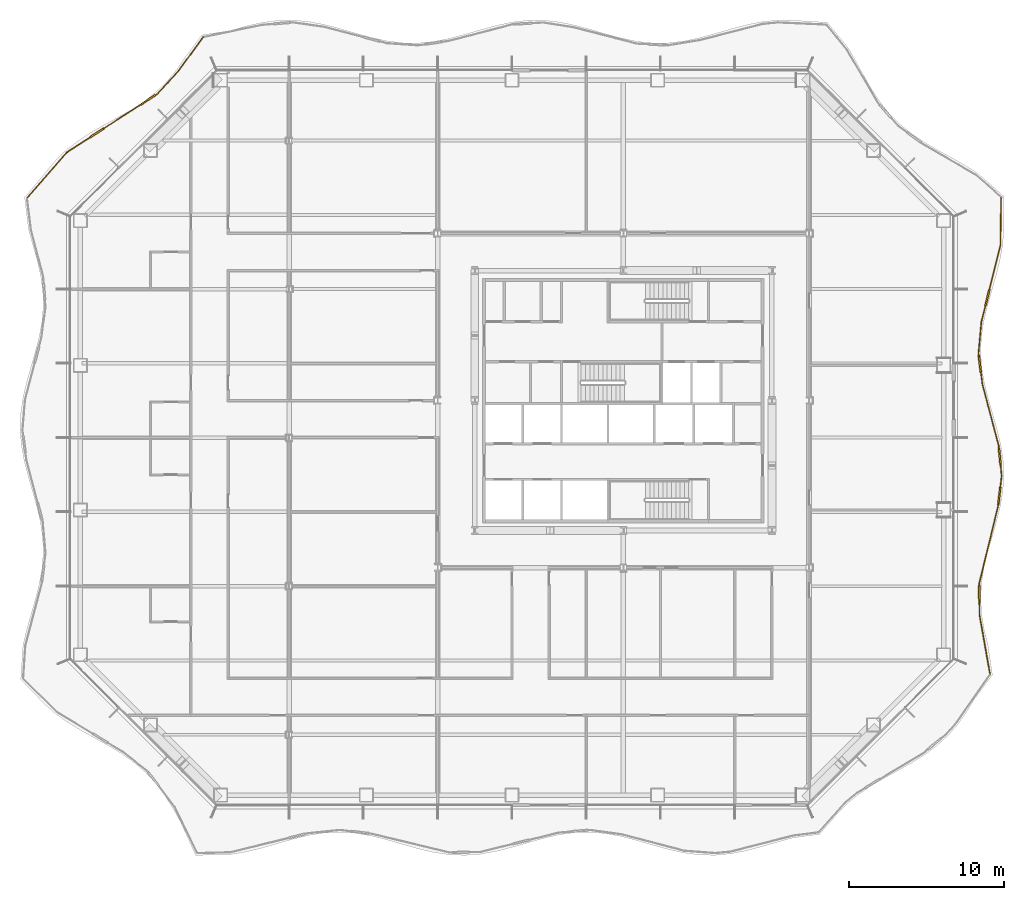
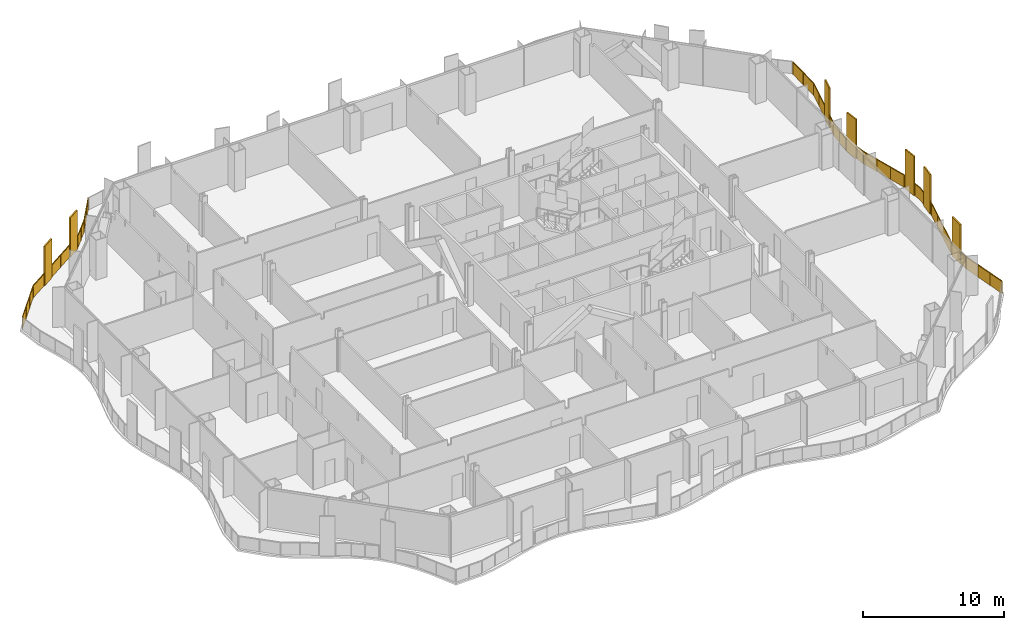
# One storey, part 15 of 17: 2 railings.
"""IFC4 building model written with IfcOpenShell, lengths in metres."""

from ifc_helpers import new_model, si_unit, direction, frame, origin, origin_2d, place, context, subcontext, project, spatial, polyline, rectangle, outline, extrude, material, type_object, element, save


model = new_model("IFC4")

# Units and contexts
model_context = context("Model", 3, precision=1e-05, world=origin(), true_north=direction((0.0, 1.0)))
body_context = subcontext(model_context, "Body", "Model", "MODEL_VIEW")
ifc_project = project(units=[si_unit("LENGTHUNIT", "METRE"), si_unit("AREAUNIT", "SQUARE_METRE"), si_unit("VOLUMEUNIT", "CUBIC_METRE"), si_unit("PLANEANGLEUNIT", "RADIAN"), si_unit("MASSUNIT", "GRAM", prefix="KILO")], contexts=[model_context])

# Site, building, storey
site_placement = place(None, origin())
site = spatial("IfcSite", under=ifc_project, at=site_placement, CompositionType="ELEMENT")
building_placement = place(site_placement, origin())
building = spatial("IfcBuilding", under=site, at=building_placement, Name="Cairn Pilgrim Tower", CompositionType="ELEMENT")
storey_placement = place(building_placement, frame((0.0, 0.0, 79.800048828125)))
storey = spatial("IfcBuildingStorey", under=building, at=storey_placement, Name="L18", CompositionType="ELEMENT", Elevation=79.800048828125)

# Railings
ifc_material = material(Name="Bronze anodised aluminium rail, posts and fin screens with laminated glass infill", Category="aluminium")
railing_type = type_object("IfcRailingType", Name="BALCONY GUARD WITH FIN SCREENS", PredefinedType="GUARDRAIL", material=ifc_material)
railing_1_placement = place(storey_placement, frame((30.8984375, -15.2998046875, 0.0)))
element("IfcRailing", 1, at=railing_1_placement, inside=storey, type_object=railing_type, Name="Balcony guard BGF-3 with fin screens", PredefinedType="GUARDRAIL", context=body_context, shape_type="SweptSolid", body=[
    extrude(rectangle(XDim=0.050048828125, YDim=0.050048828125, at=origin_2d()), frame((0.0, 0.0, 1.0751953125), z_axis=(-0.17480693938, 0.984602728995, 0.0), x_axis=(-0.984602728995, -0.17480693938, 0.0)), (0.0, 0.0, 1.0), 3.926025390625),
    extrude(rectangle(XDim=1.10009765625, YDim=0.110107421875, at=origin_2d()), frame((-0.69384765625, 5.182861328125, 0.0), z_axis=(0.0, 0.0, 1.0), x_axis=(-0.005687914766, 0.999983823682, 0.0)), (0.0, 0.0, 1.0), 3.39990234375),
    extrude(rectangle(XDim=0.050048828125, YDim=0.050048828125, at=origin_2d()), frame((-0.686279296875, 3.865478515625, 1.0751953125), z_axis=(-0.005687914766, 0.999983823682, 0.0), x_axis=(-0.999983823682, -0.005687914766, 0.0)), (0.0, 0.0, 1.0), 0.767578125),
    extrude(rectangle(XDim=0.050048828125, YDim=0.050048828125, at=origin_2d()), frame((-0.697021484375, 5.73291015625, 1.0751953125), z_axis=(-0.005687914766, 0.999983823682, 0.0), x_axis=(-0.999983823682, -0.005687914766, 0.0)), (0.0, 0.0, 1.0), 0.14990234375),
    extrude(rectangle(XDim=0.050048828125, YDim=0.050048828125, at=origin_2d()), frame((-0.69775390625, 5.8828125, 1.0751953125), z_axis=(0.236731159612, 0.971575194243, 0.0), x_axis=(-0.971575194243, 0.236731159612, 0.0)), (0.0, 0.0, 1.0), 5.120361328125),
    extrude(rectangle(XDim=1.10009765625, YDim=0.110107421875, at=origin_2d()), frame((0.597900390625, 11.552734375, 0.0), z_axis=(0.0, 0.0, 1.0), x_axis=(0.119286575006, 0.992859865753, 0.0)), (0.0, 0.0, 1.0), 3.39990234375),
    extrude(rectangle(XDim=0.050048828125, YDim=0.050048828125, at=origin_2d()), frame((0.514404296875, 10.857666015625, 1.0751953125), z_axis=(0.119286575006, 0.992859865753, 0.0), x_axis=(-0.992859865753, 0.119286575006, 0.0)), (0.0, 0.0, 1.0), 0.14990234375),
    extrude(rectangle(XDim=0.050048828125, YDim=0.050048828125, at=origin_2d()), frame((0.66357421875, 12.0986328125, 1.0751953125), z_axis=(0.119286575006, 0.992859865753, 0.0), x_axis=(-0.992859865753, 0.119286575006, 0.0)), (0.0, 0.0, 1.0), 0.72509765625),
    extrude(rectangle(XDim=1.10009765625, YDim=0.110107421875, at=origin_2d()), frame((0.62646484375, 14.079833984375, 0.0), z_axis=(0.0, 0.0, 1.0), x_axis=(-0.09753768333, 0.995231832454, 0.0)), (0.0, 0.0, 1.0), 3.39990234375),
    extrude(rectangle(XDim=0.050048828125, YDim=0.050048828125, at=origin_2d()), frame((0.75, 12.818603515625, 1.0751953125), z_axis=(-0.09753768333, 0.995231832454, 0.0), x_axis=(-0.995231832454, -0.09753768333, 0.0)), (0.0, 0.0, 1.0), 0.71728515625),
    extrude(rectangle(XDim=0.050048828125, YDim=0.050048828125, at=origin_2d()), frame((0.57275390625, 14.627197265625, 1.0751953125), z_axis=(-0.09753768333, 0.995231832454, 0.0), x_axis=(-0.995231832454, -0.09753768333, 0.0)), (0.0, 0.0, 1.0), 0.150146484375),
    extrude(rectangle(XDim=0.050048828125, YDim=0.050048828125, at=origin_2d()), frame((0.55810546875, 14.776611328125, 1.0751953125), z_axis=(-0.256286245796, 0.96660093121, 0.0), x_axis=(-0.96660093121, -0.256286245796, 0.0)), (0.0, 0.0, 1.0), 4.107666015625),
    extrude(rectangle(XDim=1.10009765625, YDim=0.110107421875, at=origin_2d()), frame((-0.660400390625, 20.06494140625, 0.0), z_axis=(0.0, 0.0, 1.0), x_axis=(-0.124834762775, 0.992177545605, 0.0)), (0.0, 0.0, 1.0), 3.39990234375),
    extrude(rectangle(XDim=0.050048828125, YDim=0.050048828125, at=origin_2d()), frame((-0.49462890625, 18.7470703125, 1.0751953125), z_axis=(-0.124834762775, 0.992177545605, 0.0), x_axis=(-0.992177545605, -0.124834762775, 0.0)), (0.0, 0.0, 1.0), 0.7783203125),
    extrude(rectangle(XDim=0.050048828125, YDim=0.050048828125, at=origin_2d()), frame((-0.72900390625, 20.610595703125, 1.0751953125), z_axis=(-0.124834762775, 0.992177545605, 0.0), x_axis=(-0.992177545605, -0.124834762775, 0.0)), (0.0, 0.0, 1.0), 0.14990234375),
    extrude(rectangle(XDim=0.050048828125, YDim=0.050048828125, at=origin_2d()), frame((-0.747802734375, 20.75927734375, 1.0751953125), z_axis=(0.09174382448, 0.995782642282, 0.0), x_axis=(-0.995782642282, 0.09174382448, 0.0)), (0.0, 0.0, 1.0), 2.0224609375),
    extrude(rectangle(XDim=1.10009765625, YDim=0.110107421875, at=origin_2d()), frame((-0.168701171875, 24.35888671875, 0.0), z_axis=(0.0, 0.0, 1.0), x_axis=(0.240871642741, 0.970556980153, 0.0)), (0.0, 0.0, 1.0), 3.39990234375),
    extrude(rectangle(XDim=0.050048828125, YDim=0.050048828125, at=origin_2d()), frame((-0.562255859375, 22.773193359375, 1.0751953125), z_axis=(0.240871642741, 0.970556980153, 0.0), x_axis=(-0.970556980153, 0.240871642741, 0.0)), (0.0, 0.0, 1.0), 1.083740234375),
    extrude(rectangle(XDim=0.050048828125, YDim=0.050048828125, at=origin_2d()), frame((-0.036376953125, 24.892578125, 1.0751953125), z_axis=(0.240871642741, 0.970556980153, 0.0), x_axis=(-0.970556980153, 0.240871642741, 0.0)), (0.0, 0.0, 1.0), 2.9267578125),
    extrude(rectangle(XDim=0.050048828125, YDim=0.050048828125, at=origin_2d()), frame((0.668701171875, 27.733154296875, 1.0751953125), z_axis=(0.015116032128, 0.999885746259, 0.0), x_axis=(-0.999885746259, 0.015116032128, 0.0)), (0.0, 0.0, 1.0), 3.068603515625),
    extrude(rectangle(XDim=0.050048828125, YDim=0.050048828125, at=origin_2d()), origin(), (0.0, 0.0, 1.0), 1.050048828125),
    extrude(rectangle(XDim=0.050048828125, YDim=0.050048828125, at=origin_2d()), frame((-0.228759765625, 1.28857421875, 0.0)), (0.0, 0.0, 1.0), 1.050048828125),
    extrude(rectangle(XDim=0.050048828125, YDim=0.050048828125, at=origin_2d()), frame((-0.45751953125, 2.576904296875, 0.0)), (0.0, 0.0, 1.0), 1.050048828125),
    extrude(rectangle(XDim=0.050048828125, YDim=0.050048828125, at=origin_2d()), frame((-0.686279296875, 3.865478515625, 0.0)), (0.0, 0.0, 1.0), 1.050048828125),
    extrude(rectangle(XDim=0.050048828125, YDim=0.050048828125, at=origin_2d()), frame((-0.6904296875, 4.60791015625, 0.0)), (0.0, 0.0, 1.0), 1.050048828125),
    extrude(rectangle(XDim=0.050048828125, YDim=0.050048828125, at=origin_2d()), frame((-0.697021484375, 5.758056640625, 0.0)), (0.0, 0.0, 1.0), 1.050048828125),
    extrude(rectangle(XDim=0.050048828125, YDim=0.050048828125, at=origin_2d()), frame((-0.69775390625, 5.8828125, 0.0)), (0.0, 0.0, 1.0), 1.050048828125),
    extrude(rectangle(XDim=0.050048828125, YDim=0.050048828125, at=origin_2d()), frame((-0.293701171875, 7.541015625, 0.0)), (0.0, 0.0, 1.0), 1.050048828125),
    extrude(rectangle(XDim=0.050048828125, YDim=0.050048828125, at=origin_2d()), frame((0.1103515625, 9.199462890625, 0.0)), (0.0, 0.0, 1.0), 1.050048828125),
    extrude(rectangle(XDim=0.050048828125, YDim=0.050048828125, at=origin_2d()), frame((0.514404296875, 10.857666015625, 0.0)), (0.0, 0.0, 1.0), 1.050048828125),
    extrude(rectangle(XDim=0.050048828125, YDim=0.050048828125, at=origin_2d()), frame((0.529296875, 10.981689453125, 0.0)), (0.0, 0.0, 1.0), 1.050048828125),
    extrude(rectangle(XDim=0.050048828125, YDim=0.050048828125, at=origin_2d()), frame((0.66650390625, 12.12353515625, 0.0)), (0.0, 0.0, 1.0), 1.050048828125),
    extrude(rectangle(XDim=0.050048828125, YDim=0.050048828125, at=origin_2d()), frame((0.75, 12.818603515625, 0.0)), (0.0, 0.0, 1.0), 1.050048828125),
    extrude(rectangle(XDim=0.050048828125, YDim=0.050048828125, at=origin_2d()), frame((0.682373046875, 13.507568359375, 0.0)), (0.0, 0.0, 1.0), 1.050048828125),
    extrude(rectangle(XDim=0.050048828125, YDim=0.050048828125, at=origin_2d()), frame((0.5703125, 14.652099609375, 0.0)), (0.0, 0.0, 1.0), 1.050048828125),
    extrude(rectangle(XDim=0.050048828125, YDim=0.050048828125, at=origin_2d()), frame((0.55810546875, 14.776611328125, 0.0)), (0.0, 0.0, 1.0), 1.050048828125),
    extrude(rectangle(XDim=0.050048828125, YDim=0.050048828125, at=origin_2d()), frame((0.207275390625, 16.10009765625, 0.0)), (0.0, 0.0, 1.0), 1.050048828125),
    extrude(rectangle(XDim=0.050048828125, YDim=0.050048828125, at=origin_2d()), frame((-0.143798828125, 17.423583984375, 0.0)), (0.0, 0.0, 1.0), 1.050048828125),
    extrude(rectangle(XDim=0.050048828125, YDim=0.050048828125, at=origin_2d()), frame((-0.49462890625, 18.7470703125, 0.0)), (0.0, 0.0, 1.0), 1.050048828125),
    extrude(rectangle(XDim=0.050048828125, YDim=0.050048828125, at=origin_2d()), frame((-0.588623046875, 19.494384765625, 0.0)), (0.0, 0.0, 1.0), 1.050048828125),
    extrude(rectangle(XDim=0.050048828125, YDim=0.050048828125, at=origin_2d()), frame((-0.732177734375, 20.635498046875, 0.0)), (0.0, 0.0, 1.0), 1.050048828125),
    extrude(rectangle(XDim=0.050048828125, YDim=0.050048828125, at=origin_2d()), frame((-0.747802734375, 20.75927734375, 0.0)), (0.0, 0.0, 1.0), 1.050048828125),
    extrude(rectangle(XDim=0.050048828125, YDim=0.050048828125, at=origin_2d()), frame((-0.655029296875, 21.76611328125, 0.0)), (0.0, 0.0, 1.0), 1.050048828125),
    extrude(rectangle(XDim=0.050048828125, YDim=0.050048828125, at=origin_2d()), frame((-0.562255859375, 22.773193359375, 0.0)), (0.0, 0.0, 1.0), 1.050048828125),
    extrude(rectangle(XDim=0.050048828125, YDim=0.050048828125, at=origin_2d()), frame((-0.30712890625, 23.80078125, 0.0)), (0.0, 0.0, 1.0), 1.050048828125),
    extrude(rectangle(XDim=0.050048828125, YDim=0.050048828125, at=origin_2d()), frame((-0.0302734375, 24.9169921875, 0.0)), (0.0, 0.0, 1.0), 1.050048828125),
    extrude(rectangle(XDim=0.050048828125, YDim=0.050048828125, at=origin_2d()), frame((0.3193359375, 26.324951171875, 0.0)), (0.0, 0.0, 1.0), 1.050048828125),
    extrude(rectangle(XDim=0.050048828125, YDim=0.050048828125, at=origin_2d()), frame((0.668701171875, 27.733154296875, 0.0)), (0.0, 0.0, 1.0), 1.050048828125),
    extrude(rectangle(XDim=0.050048828125, YDim=0.050048828125, at=origin_2d()), frame((0.69189453125, 29.267333984375, 0.0)), (0.0, 0.0, 1.0), 1.050048828125),
    extrude(rectangle(XDim=0.050048828125, YDim=0.050048828125, at=origin_2d()), frame((0.715087890625, 30.801513671875, 0.0)), (0.0, 0.0, 1.0), 1.050048828125),
    extrude(outline(polyline([(0.02490234375, 0.0), (1.28369140625, 0.0), (1.28369140625, 1.050048828125), (0.02490234375, 1.050048828125), (0.02490234375, 0.0)])), frame((-0.005859375, -0.0009765625, 0.0), z_axis=(0.984602728995, 0.17480693938, 0.0), x_axis=(-0.17480693938, 0.984602728995, 0.0)), (0.0, 0.0, 1.0), 0.011962890625),
    extrude(outline(polyline([(0.02490234375, 0.0), (1.28369140625, 0.0), (1.28369140625, 1.050048828125), (0.02490234375, 1.050048828125), (0.02490234375, 0.0)])), frame((-0.234619140625, 1.287353515625, 0.0), z_axis=(0.984602728995, 0.17480693938, 0.0), x_axis=(-0.17480693938, 0.984602728995, 0.0)), (0.0, 0.0, 1.0), 0.011962890625),
    extrude(outline(polyline([(0.02490234375, 0.0), (1.28369140625, 0.0), (1.28369140625, 1.050048828125), (0.02490234375, 1.050048828125), (0.02490234375, 0.0)])), frame((-0.46337890625, 2.575927734375, 0.0), z_axis=(0.984602728995, 0.17480693938, 0.0), x_axis=(-0.17480693938, 0.984602728995, 0.0)), (0.0, 0.0, 1.0), 0.011962890625),
    extrude(outline(polyline([(0.02490234375, 0.0), (0.717529296875, 0.0), (0.717529296875, 1.050048828125), (0.02490234375, 1.050048828125), (0.02490234375, 0.0)])), frame((-0.692138671875, 3.865478515625, 0.0), z_axis=(0.999983823682, 0.005687914766, 0.0), x_axis=(-0.005687914766, 0.999983823682, 0.0)), (0.0, 0.0, 1.0), 0.011962890625),
    extrude(outline(polyline([(0.02490234375, 0.0), (0.099853515625, 0.0), (0.099853515625, 1.050048828125), (0.02490234375, 1.050048828125), (0.02490234375, 0.0)])), frame((-0.703125, 5.7578125, 0.0), z_axis=(0.999983823682, 0.005687914766, 0.0), x_axis=(-0.005687914766, 0.999983823682, 0.0)), (0.0, 0.0, 1.0), 0.011962890625),
    extrude(outline(polyline([(0.02490234375, 0.0), (1.681884765625, 0.0), (1.681884765625, 1.050048828125), (0.02490234375, 1.050048828125), (0.02490234375, 0.0)])), frame((-0.70361328125, 5.88427734375, 0.0), z_axis=(0.971575194243, -0.236731159612, 0.0), x_axis=(0.236731159612, 0.971575194243, 0.0)), (0.0, 0.0, 1.0), 0.011962890625),
    extrude(outline(polyline([(0.02490234375, 0.0), (1.681884765625, 0.0), (1.681884765625, 1.050048828125), (0.02490234375, 1.050048828125), (0.02490234375, 0.0)])), frame((-0.299560546875, 7.54248046875, 0.0), z_axis=(0.971575194243, -0.236731159612, 0.0), x_axis=(0.236731159612, 0.971575194243, 0.0)), (0.0, 0.0, 1.0), 0.011962890625),
    extrude(outline(polyline([(0.02490234375, 0.0), (1.681884765625, 0.0), (1.681884765625, 1.050048828125), (0.02490234375, 1.050048828125), (0.02490234375, 0.0)])), frame((0.1044921875, 9.20068359375, 0.0), z_axis=(0.971575194243, -0.236731159612, 0.0), x_axis=(0.236731159612, 0.971575194243, 0.0)), (0.0, 0.0, 1.0), 0.011962890625),
    extrude(outline(polyline([(0.02490234375, 0.0), (0.099853515625, 0.0), (0.099853515625, 1.050048828125), (0.02490234375, 1.050048828125), (0.02490234375, 0.0)])), frame((0.508544921875, 10.8583984375, 0.0), z_axis=(0.992859865753, -0.119286575006, 0.0), x_axis=(0.119286575006, 0.992859865753, 0.0)), (0.0, 0.0, 1.0), 0.011962890625),
    extrude(outline(polyline([(0.02490234375, 0.0), (0.675048828125, 0.0), (0.675048828125, 1.050048828125), (0.02490234375, 1.050048828125), (0.02490234375, 0.0)])), frame((0.66064453125, 12.124267578125, 0.0), z_axis=(0.992859865753, -0.119286575006, 0.0), x_axis=(0.119286575006, 0.992859865753, 0.0)), (0.0, 0.0, 1.0), 0.011962890625),
    extrude(outline(polyline([(0.02490234375, 0.0), (0.667236328125, 0.0), (0.667236328125, 1.050048828125), (0.02490234375, 1.050048828125), (0.02490234375, 0.0)])), frame((0.744140625, 12.818115234375, 0.0), z_axis=(0.995231832454, 0.09753768333, 0.0), x_axis=(-0.09753768333, 0.995231832454, 0.0)), (0.0, 0.0, 1.0), 0.011962890625),
    extrude(outline(polyline([(0.02490234375, 0.0), (0.10009765625, 0.0), (0.10009765625, 1.050048828125), (0.02490234375, 1.050048828125), (0.02490234375, 0.0)])), frame((0.564453125, 14.651611328125, 0.0), z_axis=(0.995231832454, 0.09753768333, 0.0), x_axis=(-0.09753768333, 0.995231832454, 0.0)), (0.0, 0.0, 1.0), 0.011962890625),
    extrude(outline(polyline([(0.02490234375, 0.0), (1.34423828125, 0.0), (1.34423828125, 1.050048828125), (0.02490234375, 1.050048828125), (0.02490234375, 0.0)])), frame((0.55224609375, 14.775146484375, 0.0), z_axis=(0.96660093121, 0.256286245796, 0.0), x_axis=(-0.256286245796, 0.96660093121, 0.0)), (0.0, 0.0, 1.0), 0.011962890625),
    extrude(outline(polyline([(0.02490234375, 0.0), (1.34423828125, 0.0), (1.34423828125, 1.050048828125), (0.02490234375, 1.050048828125), (0.02490234375, 0.0)])), frame((0.201416015625, 16.0986328125, 0.0), z_axis=(0.96660093121, 0.256286245796, 0.0), x_axis=(-0.256286245796, 0.96660093121, 0.0)), (0.0, 0.0, 1.0), 0.011962890625),
    extrude(outline(polyline([(0.02490234375, 0.0), (1.34423828125, 0.0), (1.34423828125, 1.050048828125), (0.02490234375, 1.050048828125), (0.02490234375, 0.0)])), frame((-0.1494140625, 17.422119140625, 0.0), z_axis=(0.96660093121, 0.256286245796, 0.0), x_axis=(-0.256286245796, 0.96660093121, 0.0)), (0.0, 0.0, 1.0), 0.011962890625),
    extrude(outline(polyline([(0.02490234375, 0.0), (0.728271484375, 0.0), (0.728271484375, 1.050048828125), (0.02490234375, 1.050048828125), (0.02490234375, 0.0)])), frame((-0.50048828125, 18.746337890625, 0.0), z_axis=(0.992177545605, 0.124834762775, 0.0), x_axis=(-0.124834762775, 0.992177545605, 0.0)), (0.0, 0.0, 1.0), 0.011962890625),
    extrude(outline(polyline([(0.02490234375, 0.0), (0.099853515625, 0.0), (0.099853515625, 1.050048828125), (0.02490234375, 1.050048828125), (0.02490234375, 0.0)])), frame((-0.738037109375, 20.634765625, 0.0), z_axis=(0.992177545605, 0.124834762775, 0.0), x_axis=(-0.124834762775, 0.992177545605, 0.0)), (0.0, 0.0, 1.0), 0.011962890625),
    extrude(outline(polyline([(0.02490234375, 0.0), (0.986083984375, 0.0), (0.986083984375, 1.050048828125), (0.02490234375, 1.050048828125), (0.02490234375, 0.0)])), frame((-0.753662109375, 20.759765625, 0.0), z_axis=(0.995782642282, -0.09174382448, 0.0), x_axis=(0.09174382448, 0.995782642282, 0.0)), (0.0, 0.0, 1.0), 0.011962890625),
    extrude(outline(polyline([(0.02490234375, 0.0), (0.986083984375, 0.0), (0.986083984375, 1.050048828125), (0.02490234375, 1.050048828125), (0.02490234375, 0.0)])), frame((-0.660888671875, 21.766845703125, 0.0), z_axis=(0.995782642282, -0.09174382448, 0.0), x_axis=(0.09174382448, 0.995782642282, 0.0)), (0.0, 0.0, 1.0), 0.011962890625),
    extrude(outline(polyline([(0.02490234375, 0.0), (1.03369140625, 0.0), (1.03369140625, 1.050048828125), (0.02490234375, 1.050048828125), (0.02490234375, 0.0)])), frame((-0.568115234375, 22.774658203125, 0.0), z_axis=(0.970556980153, -0.240871642741, 0.0), x_axis=(0.240871642741, 0.970556980153, 0.0)), (0.0, 0.0, 1.0), 0.011962890625),
    extrude(outline(polyline([(0.02490234375, 0.0), (1.42578125, 0.0), (1.42578125, 1.050048828125), (0.02490234375, 1.050048828125), (0.02490234375, 0.0)])), frame((-0.0361328125, 24.91845703125, 0.0), z_axis=(0.970556980153, -0.240871642741, 0.0), x_axis=(0.240871642741, 0.970556980153, 0.0)), (0.0, 0.0, 1.0), 0.011962890625),
    extrude(outline(polyline([(0.02490234375, 0.0), (1.42578125, 0.0), (1.42578125, 1.050048828125), (0.02490234375, 1.050048828125), (0.02490234375, 0.0)])), frame((0.3134765625, 26.326416015625, 0.0), z_axis=(0.970556980153, -0.240871642741, 0.0), x_axis=(0.240871642741, 0.970556980153, 0.0)), (0.0, 0.0, 1.0), 0.011962890625),
    extrude(outline(polyline([(0.02490234375, 0.0), (1.50927734375, 0.0), (1.50927734375, 1.050048828125), (0.02490234375, 1.050048828125), (0.02490234375, 0.0)])), frame((0.662841796875, 27.733154296875, 0.0), z_axis=(0.999885746259, -0.015116032128, 0.0), x_axis=(0.015116032128, 0.999885746259, 0.0)), (0.0, 0.0, 1.0), 0.011962890625),
    extrude(outline(polyline([(0.02490234375, 0.0), (1.50927734375, 0.0), (1.50927734375, 1.050048828125), (0.02490234375, 1.050048828125), (0.02490234375, 0.0)])), frame((0.68603515625, 29.267333984375, 0.0), z_axis=(0.999885746259, -0.015116032128, 0.0), x_axis=(0.015116032128, 0.999885746259, 0.0)), (0.0, 0.0, 1.0), 0.011962890625),
])
railing_2_placement = place(storey_placement, frame((-19.954345703125, 25.896240234375, 0.0)))
element("IfcRailing", 2, at=railing_2_placement, inside=storey, type_object=railing_type, Name="Balcony guard BGF-6 with fin screens", PredefinedType="GUARDRAIL", context=body_context, shape_type="SweptSolid", body=[
    extrude(rectangle(XDim=0.050048828125, YDim=0.050048828125, at=origin_2d()), frame((0.0, 0.0, 1.0751953125), z_axis=(-0.589425477703, -0.807822756696, 0.0), x_axis=(0.807822756696, -0.589425477703, 0.0)), (0.0, 0.0, 1.0), 2.765625),
    extrude(rectangle(XDim=0.050048828125, YDim=0.050048828125, at=origin_2d()), frame((-1.630126953125, -2.234130859375, 1.0751953125), z_axis=(-0.679746766572, -0.733446885149, 0.0), x_axis=(0.733446885149, -0.679746766572, 0.0)), (0.0, 0.0, 1.0), 1.968505859375),
    extrude(rectangle(XDim=1.10009765625, YDim=0.110107421875, at=origin_2d()), frame((-3.55615234375, -4.05810546875, 0.0), z_axis=(0.0, 0.0, 1.0), x_axis=(-0.8398031786, -0.54289098465, 0.0)), (0.0, 0.0, 1.0), 3.39990234375),
    extrude(rectangle(XDim=1.10009765625, YDim=0.110107421875, at=origin_2d()), frame((-6.8896484375, -6.212890625, 0.0), z_axis=(0.0, 0.0, 1.0), x_axis=(-0.8398031786, -0.54289098465, 0.0)), (0.0, 0.0, 1.0), 3.39990234375),
    extrude(rectangle(XDim=0.050048828125, YDim=0.050048828125, at=origin_2d()), frame((-2.96826171875, -3.677978515625, 1.0751953125), z_axis=(-0.8398031786, -0.54289098465, 0.0), x_axis=(0.54289098465, -0.8398031786, 0.0)), (0.0, 0.0, 1.0), 0.14990234375),
    extrude(rectangle(XDim=0.050048828125, YDim=0.050048828125, at=origin_2d()), frame((-4.01806640625, -4.356689453125, 1.0751953125), z_axis=(-0.8398031786, -0.54289098465, 0.0), x_axis=(0.54289098465, -0.8398031786, 0.0)), (0.0, 0.0, 1.0), 2.869384765625),
    extrude(rectangle(XDim=0.050048828125, YDim=0.050048828125, at=origin_2d()), frame((-7.3515625, -6.51171875, 1.0751953125), z_axis=(-0.8398031786, -0.54289098465, 0.0), x_axis=(0.54289098465, -0.8398031786, 0.0)), (0.0, 0.0, 1.0), 1.72119140625),
    extrude(rectangle(XDim=0.050048828125, YDim=0.050048828125, at=origin_2d()), frame((-8.797119140625, -7.446044921875, 1.0751953125), z_axis=(-0.657687032309, -0.753291289962, 0.0), x_axis=(0.753291289962, -0.657687032309, 0.0)), (0.0, 0.0, 1.0), 3.891845703125),
    extrude(rectangle(XDim=0.050048828125, YDim=0.050048828125, at=origin_2d()), origin(), (0.0, 0.0, 1.0), 1.050048828125),
    extrude(rectangle(XDim=0.050048828125, YDim=0.050048828125, at=origin_2d()), frame((-0.815185546875, -1.1171875, 0.0)), (0.0, 0.0, 1.0), 1.050048828125),
    extrude(rectangle(XDim=0.050048828125, YDim=0.050048828125, at=origin_2d()), frame((-1.630126953125, -2.234130859375, 0.0)), (0.0, 0.0, 1.0), 1.050048828125),
    extrude(rectangle(XDim=0.050048828125, YDim=0.050048828125, at=origin_2d()), frame((-2.29931640625, -2.9560546875, 0.0)), (0.0, 0.0, 1.0), 1.050048828125),
    extrude(rectangle(XDim=0.050048828125, YDim=0.050048828125, at=origin_2d()), frame((-2.96826171875, -3.677978515625, 0.0)), (0.0, 0.0, 1.0), 1.050048828125),
    extrude(rectangle(XDim=0.050048828125, YDim=0.050048828125, at=origin_2d()), frame((-3.0732421875, -3.745849609375, 0.0)), (0.0, 0.0, 1.0), 1.050048828125),
    extrude(rectangle(XDim=0.050048828125, YDim=0.050048828125, at=origin_2d()), frame((-4.0390625, -4.3701171875, 0.0)), (0.0, 0.0, 1.0), 1.050048828125),
    extrude(rectangle(XDim=0.050048828125, YDim=0.050048828125, at=origin_2d()), frame((-5.222900390625, -5.135498046875, 0.0)), (0.0, 0.0, 1.0), 1.050048828125),
    extrude(rectangle(XDim=0.050048828125, YDim=0.050048828125, at=origin_2d()), frame((-6.40673828125, -5.90087890625, 0.0)), (0.0, 0.0, 1.0), 1.050048828125),
    extrude(rectangle(XDim=0.050048828125, YDim=0.050048828125, at=origin_2d()), frame((-7.37255859375, -6.525146484375, 0.0)), (0.0, 0.0, 1.0), 1.050048828125),
    extrude(rectangle(XDim=0.050048828125, YDim=0.050048828125, at=origin_2d()), frame((-8.797119140625, -7.446044921875, 0.0)), (0.0, 0.0, 1.0), 1.050048828125),
    extrude(rectangle(XDim=0.050048828125, YDim=0.050048828125, at=origin_2d()), frame((-9.650390625, -8.42333984375, 0.0)), (0.0, 0.0, 1.0), 1.050048828125),
    extrude(rectangle(XDim=0.050048828125, YDim=0.050048828125, at=origin_2d()), frame((-10.50341796875, -9.400390625, 0.0)), (0.0, 0.0, 1.0), 1.050048828125),
    extrude(rectangle(XDim=0.050048828125, YDim=0.050048828125, at=origin_2d()), frame((-11.356689453125, -10.377685546875, 0.0)), (0.0, 0.0, 1.0), 1.050048828125),
    extrude(outline(polyline([(0.02490234375, 0.0), (1.357666015625, 0.0), (1.357666015625, 1.050048828125), (0.02490234375, 1.050048828125), (0.02490234375, 0.0)])), frame((0.0048828125, -0.00341796875, 0.0), z_axis=(-0.807822756696, 0.589425477703, 0.0), x_axis=(-0.589425477703, -0.807822756696, 0.0)), (0.0, 0.0, 1.0), 0.011962890625),
    extrude(outline(polyline([(0.02490234375, 0.0), (1.357666015625, 0.0), (1.357666015625, 1.050048828125), (0.02490234375, 1.050048828125), (0.02490234375, 0.0)])), frame((-0.810302734375, -1.12060546875, 0.0), z_axis=(-0.807822756696, 0.589425477703, 0.0), x_axis=(-0.589425477703, -0.807822756696, 0.0)), (0.0, 0.0, 1.0), 0.011962890625),
    extrude(outline(polyline([(0.02490234375, 0.0), (0.959228515625, 0.0), (0.959228515625, 1.050048828125), (0.02490234375, 1.050048828125), (0.02490234375, 0.0)])), frame((-1.625732421875, -2.23828125, 0.0), z_axis=(-0.733446885149, 0.679746766572, 0.0), x_axis=(-0.679746766572, -0.733446885149, 0.0)), (0.0, 0.0, 1.0), 0.011962890625),
    extrude(outline(polyline([(0.02490234375, 0.0), (0.959228515625, 0.0), (0.959228515625, 1.050048828125), (0.02490234375, 1.050048828125), (0.02490234375, 0.0)])), frame((-2.294921875, -2.960205078125, 0.0), z_axis=(-0.733446885149, 0.679746766572, 0.0), x_axis=(-0.679746766572, -0.733446885149, 0.0)), (0.0, 0.0, 1.0), 0.011962890625),
    extrude(outline(polyline([(0.02490234375, 0.0), (0.099853515625, 0.0), (0.099853515625, 1.050048828125), (0.02490234375, 1.050048828125), (0.02490234375, 0.0)])), frame((-2.965087890625, -3.68310546875, 0.0), z_axis=(-0.54289098465, 0.8398031786, 0.0), x_axis=(-0.8398031786, -0.54289098465, 0.0)), (0.0, 0.0, 1.0), 0.011962890625),
    extrude(outline(polyline([(0.02490234375, 0.0), (1.384765625, 0.0), (1.384765625, 1.050048828125), (0.02490234375, 1.050048828125), (0.02490234375, 0.0)])), frame((-4.035888671875, -4.375244140625, 0.0), z_axis=(-0.54289098465, 0.8398031786, 0.0), x_axis=(-0.8398031786, -0.54289098465, 0.0)), (0.0, 0.0, 1.0), 0.011962890625),
    extrude(outline(polyline([(0.02490234375, 0.0), (1.384765625, 0.0), (1.384765625, 1.050048828125), (0.02490234375, 1.050048828125), (0.02490234375, 0.0)])), frame((-5.2197265625, -5.140625, 0.0), z_axis=(-0.54289098465, 0.8398031786, 0.0), x_axis=(-0.8398031786, -0.54289098465, 0.0)), (0.0, 0.0, 1.0), 0.011962890625),
    extrude(outline(polyline([(0.02490234375, 0.0), (1.671142578125, 0.0), (1.671142578125, 1.050048828125), (0.02490234375, 1.050048828125), (0.02490234375, 0.0)])), frame((-7.369384765625, -6.5302734375, 0.0), z_axis=(-0.54289098465, 0.8398031786, 0.0), x_axis=(-0.8398031786, -0.54289098465, 0.0)), (0.0, 0.0, 1.0), 0.011962890625),
    extrude(outline(polyline([(0.02490234375, 0.0), (1.272216796875, 0.0), (1.272216796875, 1.050048828125), (0.02490234375, 1.050048828125), (0.02490234375, 0.0)])), frame((-8.792724609375, -7.449951171875, 0.0), z_axis=(-0.753291289962, 0.657687032309, 0.0), x_axis=(-0.657687032309, -0.753291289962, 0.0)), (0.0, 0.0, 1.0), 0.011962890625),
    extrude(outline(polyline([(0.02490234375, 0.0), (1.272216796875, 0.0), (1.272216796875, 1.050048828125), (0.02490234375, 1.050048828125), (0.02490234375, 0.0)])), frame((-9.645751953125, -8.42724609375, 0.0), z_axis=(-0.753291289962, 0.657687032309, 0.0), x_axis=(-0.657687032309, -0.753291289962, 0.0)), (0.0, 0.0, 1.0), 0.011962890625),
    extrude(outline(polyline([(0.02490234375, 0.0), (1.272216796875, 0.0), (1.272216796875, 1.050048828125), (0.02490234375, 1.050048828125), (0.02490234375, 0.0)])), frame((-10.4990234375, -9.404296875, 0.0), z_axis=(-0.753291289962, 0.657687032309, 0.0), x_axis=(-0.657687032309, -0.753291289962, 0.0)), (0.0, 0.0, 1.0), 0.011962890625),
])

save(model, "model.ifc")
